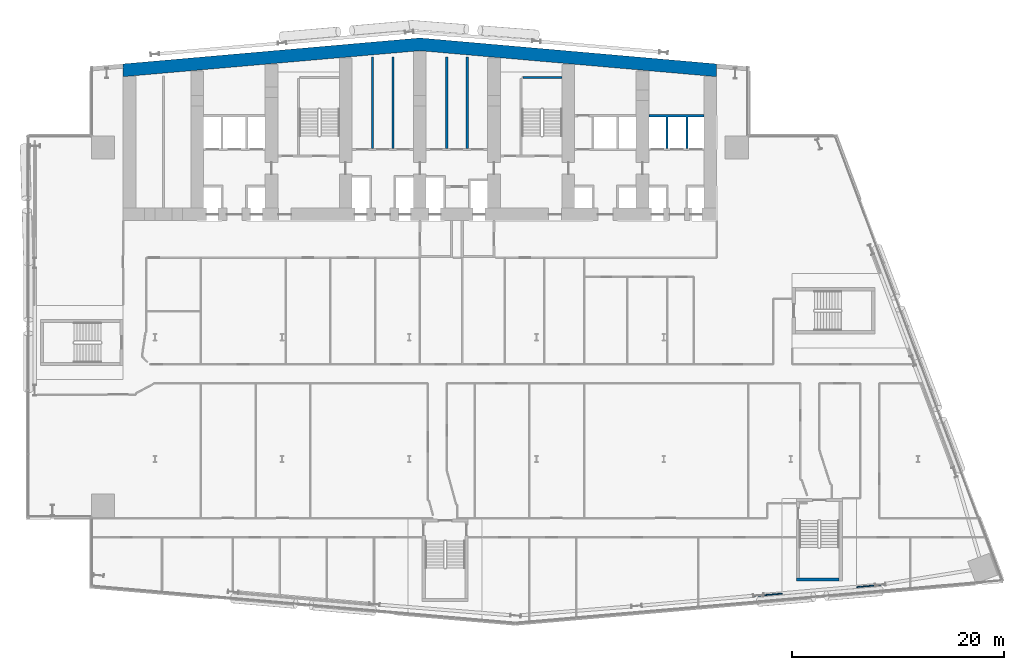
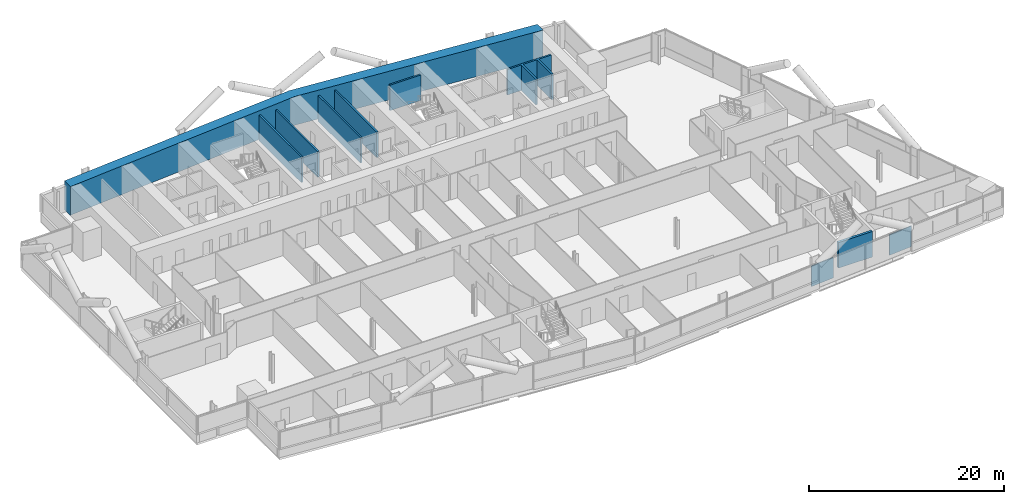
# One storey, part 19 of 28: 10 walls.
"""IFC4 building model written with IfcOpenShell, lengths in metres."""

from ifc_helpers import new_model, si_unit, direction, frame, frame_2d, origin, place, context, subcontext, project, spatial, polyline, rectangle, outline, extrude, material, layer, layer_set, type_object, element, save


model = new_model("IFC4")

# Units and contexts
model_context = context("Model", 3, precision=1e-05, world=origin(), true_north=direction((0.0, 1.0)))
body_context = subcontext(model_context, "Body", "Model", "MODEL_VIEW")
ifc_project = project(units=[si_unit("LENGTHUNIT", "METRE"), si_unit("AREAUNIT", "SQUARE_METRE"), si_unit("VOLUMEUNIT", "CUBIC_METRE"), si_unit("PLANEANGLEUNIT", "RADIAN"), si_unit("MASSUNIT", "GRAM", prefix="KILO")], contexts=[model_context])

# Site, building, storey
site_placement = place(None, origin())
site = spatial("IfcSite", under=ifc_project, at=site_placement, CompositionType="ELEMENT")
building_placement = place(site_placement, origin())
building = spatial("IfcBuilding", under=site, at=building_placement, Name="Wharfspan Tower", CompositionType="ELEMENT")
storey_placement = place(building_placement, frame((0.0, 0.0, 52.300049)))
storey = spatial("IfcBuildingStorey", under=building, at=storey_placement, Name="L09", CompositionType="ELEMENT", Elevation=52.300049)

# Walls
ifc_material_1 = material(Name="Calcium silicate masonry", Category="masonry")
ifc_layer_1 = layer(ifc_material_1, 0.199951)
ifc_layer_set_1 = layer_set([ifc_layer_1], Name="Calcium silicate masonry")
wall_type_1 = type_object("IfcWallType", Name="Core room wall 200", PredefinedType="PARTITIONING", material=ifc_layer_set_1)
for number, where, z_axis, x_axis, name in (
    (1, (32.533203, 40.800049, 0.0), (0.0, 0.0, 1.0), (0.0, 1.0, 0.0), "sw:L09:RP3.1"),
    (2, (34.466797, 40.800049, 0.0), (0.0, 0.0, 1.0), (0.0, 1.0, 0.0), "sw:L09:RP3.2"),
    (3, (39.533203, 40.800049, 0.0), (0.0, 0.0, 1.0), (0.0, 1.0, 0.0), "sw:L09:RP4.1"),
    (4, (41.466797, 40.800049, 0.0), (0.0, 0.0, 1.0), (0.0, 1.0, 0.0), "sw:L09:RP4.2"),
):
    element("IfcWall", number, at=place(storey_placement, frame(where, z_axis=z_axis, x_axis=x_axis)), inside=storey, type_object=wall_type_1, Name=name, PredefinedType="PARTITIONING", context=body_context, shape_type="SweptSolid", body=[
        extrude(rectangle(XDim=8.652588, YDim=0.199951, at=frame_2d((4.326172, 0.0))), origin(), (0.0, 0.0, 1.0), 3.199951),
    ])
ifc_material_2 = material(Name="Concrete C70/85", Category="concrete")
ifc_layer_2 = layer(ifc_material_2, 1.199951)
ifc_layer_set_2 = layer_set([ifc_layer_2], Name="Concrete C70/85")
wall_type_2 = type_object("IfcWallType", Name="Core wall 1200 C70/85", PredefinedType="SHEAR", material=ifc_layer_set_2)
wall_1_placement = place(storey_placement, frame((0.0, 0.0, -0.000244)))
element("IfcWall", 5, at=wall_1_placement, inside=storey, type_object=wall_type_2, Name="Core rear wall L09", PredefinedType="SHEAR", context=body_context, shape_type="SweptSolid", body=[
    extrude(outline(polyline([(9.0, 47.582764), (37.0, 50.032471), (65.0, 47.582764), (65.0, 48.787354), (37.0, 51.237061), (9.0, 48.787354), (9.0, 47.582764)])), origin(), (0.0, 0.0, 1.0), 3.600098),
])
ifc_material_3 = material(Name="Concrete C30/37", Category="concrete")
ifc_layer_3 = layer(ifc_material_3, 0.199951)
ifc_layer_set_3 = layer_set([ifc_layer_3], Name="Concrete C30/37")
wall_type_3 = type_object("IfcWallType", Name="Lift shaft wall 200", PredefinedType="PARTITIONING", material=ifc_layer_set_3)
wall_2_placement = place(storey_placement, frame((0.0, 0.0, -0.000244)))
element("IfcWall", 6, at=wall_2_placement, inside=storey, type_object=wall_type_3, Name="sw:L09:RM7.0", PredefinedType="PARTITIONING", context=body_context, shape_type="SweptSolid", body=[
    extrude(outline(polyline([(60.43335, 40.800049), (60.233398, 40.800049), (60.233398, 43.800049), (58.600098, 43.800049), (58.600098, 44.0), (63.800049, 44.0), (63.800049, 43.800049), (62.300049, 43.800049), (62.300049, 40.800049), (62.100098, 40.800049), (62.100098, 43.800049), (60.43335, 43.800049), (60.43335, 40.800049)])), origin(), (0.0, 0.0, 1.0), 3.200195),
])
ifc_material_4 = material(Name="Gypsum board on steel studs", Category="steel")
ifc_layer_4 = layer(ifc_material_4, 0.100098)
ifc_layer_set_4 = layer_set([ifc_layer_4], Name="Gypsum board on steel studs")
wall_type_4 = type_object("IfcWallType", Name="Partition 100", PredefinedType="PARTITIONING", material=ifc_layer_set_4)
wall_3_placement = place(storey_placement, frame((68.445068, -1.429932, 0.0), z_axis=(0.0, 0.0, 1.0), x_axis=(0.996195, 0.087118, 0.0)))
element("IfcWall", 7, at=wall_3_placement, inside=storey, type_object=wall_type_4, Name="Partition L09.w060", PredefinedType="PARTITIONING", context=body_context, shape_type="SweptSolid", body=[
    extrude(rectangle(XDim=2.738037, YDim=0.100098, at=frame_2d((1.369141, 0.0))), origin(), (0.0, 0.0, 1.0), 2.579834),
])
wall_4_placement = place(storey_placement, frame((78.212402, -0.572998, 0.0), z_axis=(0.0, 0.0, 1.0), x_axis=(0.996224, 0.086779, 0.0)))
element("IfcWall", 8, at=wall_4_placement, inside=storey, type_object=wall_type_4, Name="Partition L09.w081", PredefinedType="PARTITIONING", context=body_context, shape_type="SweptSolid", body=[
    extrude(rectangle(XDim=2.74292, YDim=0.100098, at=frame_2d((1.371582, 0.0))), origin(), (0.0, 0.0, 1.0), 2.579834),
])
ifc_material_5 = material(Name="Concrete C40/50", Category="concrete")
ifc_layer_5 = layer(ifc_material_5, 0.300049)
ifc_layer_set_5 = layer_set([ifc_layer_5], Name="Concrete C40/50")
wall_type_5 = type_object("IfcWallType", Name="Stair core wall 300", PredefinedType="SHEAR", material=ifc_layer_set_5)
wall_5_placement = place(storey_placement, frame((72.517578, 0.14209, 0.0), z_axis=(0.0, 0.0, 1.0), x_axis=(1.0, 0.0, 0.0)))
element("IfcWall", 9, at=wall_5_placement, inside=storey, type_object=wall_type_5, Name="ST5 stair enclosure wall L09", PredefinedType="SHEAR", context=body_context, shape_type="SweptSolid", body=[
    extrude(rectangle(XDim=4.049805, YDim=0.300049, at=frame_2d((2.024902, 0.0))), origin(), (0.0, 0.0, 1.0), 3.199951),
])
ifc_layer_6 = layer(ifc_material_5, 0.199951)
ifc_layer_set_6 = layer_set([ifc_layer_6], Name="Concrete C40/50")
wall_type_6 = type_object("IfcWallType", Name="Stair shaft wall 200", PredefinedType="SHEAR", material=ifc_layer_set_6)
wall_6_placement = place(storey_placement, frame((46.75, 47.5, 0.0), z_axis=(0.0, 0.0, 1.0), x_axis=(1.0, 0.0, 0.0)))
element("IfcWall", 10, at=wall_6_placement, inside=storey, type_object=wall_type_6, Name="ST2 stair enclosure wall L09", PredefinedType="SHEAR", context=body_context, shape_type="SweptSolid", body=[
    extrude(rectangle(XDim=3.649902, YDim=0.199951, at=frame_2d((1.824951, 0.0))), origin(), (0.0, 0.0, 1.0), 3.199951),
])

save(model, "model.ifc")
